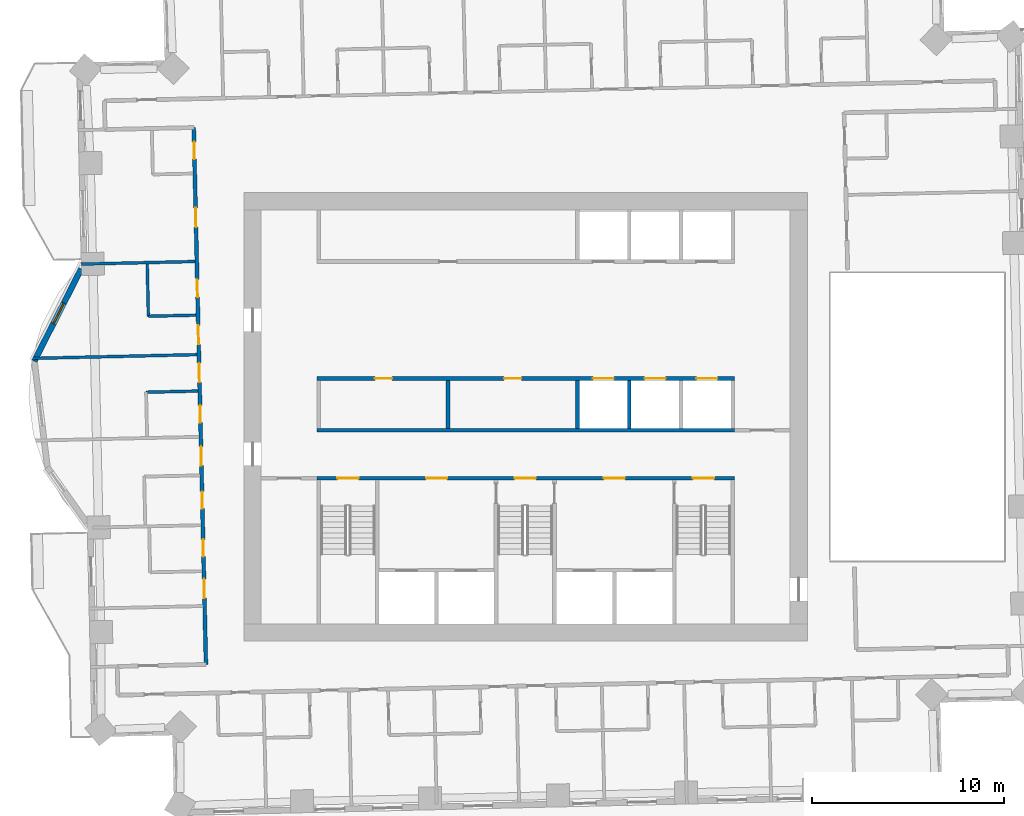
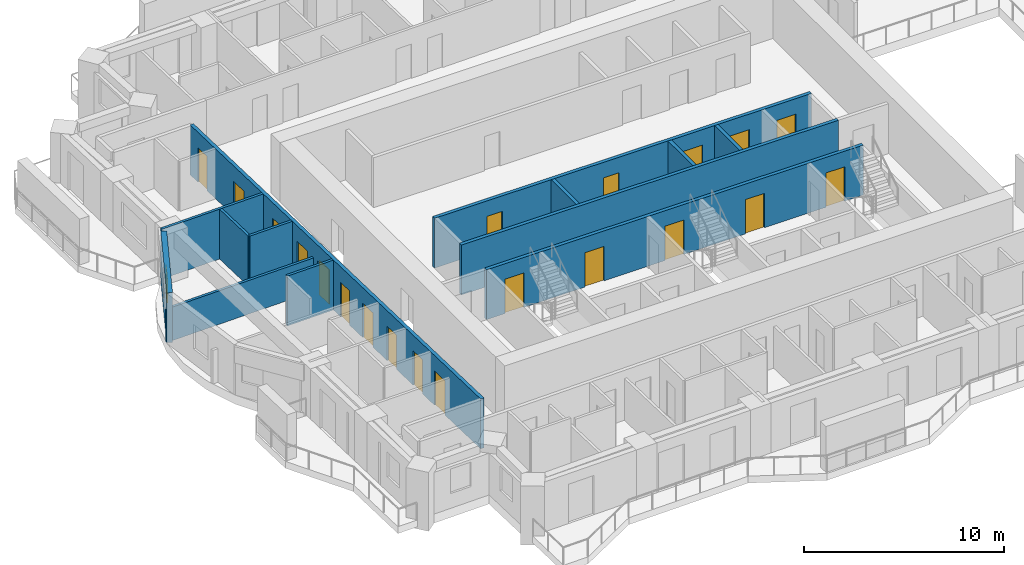
# One storey, part 6 of 14: 20 doors, 13 walls, 1 window, 21 openings.
"""IFC4 building model written with IfcOpenShell, lengths in metres."""

from ifc_helpers import new_model, si_unit, direction, frame, frame_2d, origin, place, context, subcontext, project, spatial, rectangle, extrude, material, layer, layer_set, type_object, element, fill, save


model = new_model("IFC4")

# Units and contexts
model_context = context("Model", 3, precision=1e-05, world=origin(), true_north=direction((0.0, 1.0)))
body_context = subcontext(model_context, "Body", "Model", "MODEL_VIEW")
ifc_project = project(units=[si_unit("LENGTHUNIT", "METRE"), si_unit("AREAUNIT", "SQUARE_METRE"), si_unit("VOLUMEUNIT", "CUBIC_METRE"), si_unit("PLANEANGLEUNIT", "RADIAN"), si_unit("MASSUNIT", "GRAM", prefix="KILO")], contexts=[model_context])

# Site, building, storey
site_placement = place(None, origin())
site = spatial("IfcSite", under=ifc_project, at=site_placement, CompositionType="ELEMENT")
building_placement = place(site_placement, origin())
building = spatial("IfcBuilding", under=site, at=building_placement, Name="Mangrove Gate Tower", CompositionType="ELEMENT")
storey_placement = place(building_placement, frame((0.0, 0.0, 186.10009765625)))
storey = spatial("IfcBuildingStorey", under=building, at=storey_placement, Name="L47", CompositionType="ELEMENT", Elevation=186.10009765625)

# Walls
ifc_material_1 = material(Name="Concrete C32/40", Category="concrete")
ifc_layer_1 = layer(ifc_material_1, 0.199951171875)
ifc_layer_set_1 = layer_set([ifc_layer_1], Name="Core room wall 200 C32/40")
wall_type_1 = type_object("IfcWallType", Name="Core room wall 200 C32/40", PredefinedType="STANDARD", material=ifc_layer_set_1)
wall_1_placement = place(storey_placement, frame((-4.050048828125, -0.60009765625, 0.0), z_axis=(0.0, 0.0, 1.0), x_axis=(0.0, 1.0, 0.0)))
element("IfcWall", 1, at=wall_1_placement, inside=storey, type_object=wall_type_1, Name="WALL-L47-CORE-20", PredefinedType="STANDARD", context=body_context, shape_type="SweptSolid", body=[
    extrude(rectangle(XDim=2.5, YDim=0.199951171875, at=frame_2d((1.25, 0.0))), origin(), (0.0, 0.0, 1.0), 3.0498046875),
])
ifc_material_2 = material(Name="Concrete C60/75", Category="concrete")
ifc_layer_2 = layer(ifc_material_2, 0.199951171875)
ifc_layer_set_2 = layer_set([ifc_layer_2], Name="Core shaft wall 200 C60/75")
wall_type_2 = type_object("IfcWallType", Name="Core shaft wall 200 C60/75", PredefinedType="SHEAR", material=ifc_layer_set_2)
wall_2_placement = place(storey_placement, frame((-10.89990234375, -0.699951171875, 0.0), z_axis=(0.0, 0.0, 1.0), x_axis=(1.0, 0.0, 0.0)))
element("IfcWall", 2, at=wall_2_placement, inside=storey, type_object=wall_type_2, Name="WALL-L47-CORE-6", PredefinedType="SHEAR", context=body_context, shape_type="SweptSolid", body=[
    extrude(rectangle(XDim=21.7998046875, YDim=0.199951171875, at=frame_2d((10.89990234375, 0.0))), origin(), (0.0, 0.0, 1.0), 3.0498046875),
])

# Wall, openings, doors
wall_3_placement = place(storey_placement, frame((-10.89990234375, 2.0, 0.0), z_axis=(0.0, 0.0, 1.0), x_axis=(1.0, 0.0, 0.0)))
wall_3 = element("IfcWall", 3, at=wall_3_placement, inside=storey, type_object=wall_type_2, Name="WALL-L47-CORE-7", PredefinedType="SHEAR", context=body_context, shape_type="SweptSolid", body=[
    extrude(rectangle(XDim=21.7998046875, YDim=0.199951171875, at=frame_2d((10.89990234375, 0.0))), origin(), (0.0, 0.0, 1.0), 3.0498046875),
])
opening_1_placement = place(wall_3_placement, frame((14.39990234375, 0.0, 0.0)))
opening_1 = element("IfcOpeningElement", 4, at=opening_1_placement, cuts=wall_3, Name="Opening LD", PredefinedType="OPENING", context=body_context, shape_type="SweptSolid", body=[
    extrude(rectangle(XDim=1.10009765625, YDim=2.10009765625, at=frame_2d((0.550048828125, 1.050048828125))), frame((0.0, 0.10986328125, 0.0), z_axis=(0.0, -1.0, 0.0), x_axis=(1.0, 0.0, 0.0)), (0.0, 0.0, 1.0), 0.219970703125),
])
opening_2_placement = place(wall_3_placement, frame((17.10009765625, 0.0, 0.0)))
opening_2 = element("IfcOpeningElement", 5, at=opening_2_placement, cuts=wall_3, Name="Opening LD", PredefinedType="OPENING", context=body_context, shape_type="SweptSolid", body=[
    extrude(rectangle(XDim=1.10009765625, YDim=2.10009765625, at=frame_2d((0.550048828125, 1.050048828125))), frame((0.0, 0.10986328125, 0.0), z_axis=(0.0, -1.0, 0.0), x_axis=(1.0, 0.0, 0.0)), (0.0, 0.0, 1.0), 0.219970703125),
])
opening_3_placement = place(wall_3_placement, frame((19.800048828125, 0.0, 0.0)))
opening_3 = element("IfcOpeningElement", 6, at=opening_3_placement, cuts=wall_3, Name="Opening LD", PredefinedType="OPENING", context=body_context, shape_type="SweptSolid", body=[
    extrude(rectangle(XDim=1.10009765625, YDim=2.10009765625, at=frame_2d((0.550048828125, 1.050048828125))), frame((0.0, 0.10986328125, 0.0), z_axis=(0.0, -1.0, 0.0), x_axis=(1.0, 0.0, 0.0)), (0.0, 0.0, 1.0), 0.219970703125),
])
opening_4_placement = place(wall_3_placement, frame((3.02490234375, 0.0, 0.0)))
opening_4 = element("IfcOpeningElement", 7, at=opening_4_placement, cuts=wall_3, Name="Opening KD", PredefinedType="OPENING", context=body_context, shape_type="SweptSolid", body=[
    extrude(rectangle(XDim=0.89990234375, YDim=2.10009765625, at=frame_2d((0.449951171875, 1.050048828125))), frame((0.0, 0.10986328125, 0.0), z_axis=(0.0, -1.0, 0.0), x_axis=(1.0, 0.0, 0.0)), (0.0, 0.0, 1.0), 0.219970703125),
])
opening_5_placement = place(wall_3_placement, frame((9.77490234375, 0.0, 0.0)))
opening_5 = element("IfcOpeningElement", 8, at=opening_5_placement, cuts=wall_3, Name="Opening RD", PredefinedType="OPENING", context=body_context, shape_type="SweptSolid", body=[
    extrude(rectangle(XDim=0.89990234375, YDim=2.10009765625, at=frame_2d((0.449951171875, 1.050048828125))), frame((0.0, 0.10986328125, 0.0), z_axis=(0.0, -1.0, 0.0), x_axis=(1.0, 0.0, 0.0)), (0.0, 0.0, 1.0), 0.219970703125),
])
ifc_material_3 = material(Name="Fire-rated steel door set", Category="steel")
door_type_1 = type_object("IfcDoorType", Name="Core room door FD30S 900x2100", OperationType="SINGLE_SWING_RIGHT", PredefinedType="DOOR", material=ifc_material_3)
door_1_placement = place(opening_4_placement, origin())
door_1 = element("IfcDoor", 9, at=door_1_placement, inside=storey, type_object=door_type_1, Name="Core room door Linen store", OperationType="SINGLE_SWING_RIGHT", OverallHeight=2.10009765625, OverallWidth=0.89990234375, PredefinedType="DOOR", context=body_context, shape_type="SweptSolid", body=[
    extrude(rectangle(XDim=0.89990234375, YDim=2.10009765625, at=frame_2d((0.449951171875, 1.050048828125))), frame((0.0, 0.02490234375, 0.0), z_axis=(0.0, -1.0, 0.0), x_axis=(1.0, 0.0, 0.0)), (0.0, 0.0, 1.0), 0.050048828125),
])
fill(opening_4, door_1)
ifc_material_4 = material(Name="Stainless steel 316", Category="steel")
door_type_2 = type_object("IfcDoorType", Name="Lift landing door 1100x2100", OperationType="SLIDING_TO_LEFT", PredefinedType="DOOR", material=ifc_material_4)
door_2_placement = place(opening_1_placement, origin())
door_2 = element("IfcDoor", 10, at=door_2_placement, inside=storey, type_object=door_type_2, Name="Landing door LD M01", OperationType="SLIDING_TO_LEFT", OverallHeight=2.10009765625, OverallWidth=1.10009765625, PredefinedType="DOOR", context=body_context, shape_type="SweptSolid", body=[
    extrude(rectangle(XDim=1.10009765625, YDim=2.10009765625, at=frame_2d((0.550048828125, 1.050048828125))), frame((0.0, 0.02490234375, 0.0), z_axis=(0.0, -1.0, 0.0), x_axis=(1.0, 0.0, 0.0)), (0.0, 0.0, 1.0), 0.050048828125),
])
fill(opening_1, door_2)
door_3_placement = place(opening_2_placement, origin())
door_3 = element("IfcDoor", 11, at=door_3_placement, inside=storey, type_object=door_type_2, Name="Landing door LD M02", OperationType="SLIDING_TO_LEFT", OverallHeight=2.10009765625, OverallWidth=1.10009765625, PredefinedType="DOOR", context=body_context, shape_type="SweptSolid", body=[
    extrude(rectangle(XDim=1.10009765625, YDim=2.10009765625, at=frame_2d((0.550048828125, 1.050048828125))), frame((0.0, 0.02490234375, 0.0), z_axis=(0.0, -1.0, 0.0), x_axis=(1.0, 0.0, 0.0)), (0.0, 0.0, 1.0), 0.050048828125),
])
fill(opening_2, door_3)
door_4_placement = place(opening_3_placement, origin())
door_4 = element("IfcDoor", 12, at=door_4_placement, inside=storey, type_object=door_type_2, Name="Landing door LD M03", OperationType="SLIDING_TO_LEFT", OverallHeight=2.10009765625, OverallWidth=1.10009765625, PredefinedType="DOOR", context=body_context, shape_type="SweptSolid", body=[
    extrude(rectangle(XDim=1.10009765625, YDim=2.10009765625, at=frame_2d((0.550048828125, 1.050048828125))), frame((0.0, 0.02490234375, 0.0), z_axis=(0.0, -1.0, 0.0), x_axis=(1.0, 0.0, 0.0)), (0.0, 0.0, 1.0), 0.050048828125),
])
fill(opening_3, door_4)
ifc_material_5 = material(Name="Fire-rated steel door set", Category="steel")
door_type_3 = type_object("IfcDoorType", Name="Riser door FD30S 900x2100", OperationType="SINGLE_SWING_LEFT", PredefinedType="DOOR", material=ifc_material_5)
door_5_placement = place(opening_5_placement, origin())
door_5 = element("IfcDoor", 13, at=door_5_placement, inside=storey, type_object=door_type_3, Name="Riser door Switch room", OperationType="SINGLE_SWING_LEFT", OverallHeight=2.10009765625, OverallWidth=0.89990234375, PredefinedType="DOOR", context=body_context, shape_type="SweptSolid", body=[
    extrude(rectangle(XDim=0.89990234375, YDim=2.10009765625, at=frame_2d((0.449951171875, 1.050048828125))), frame((0.0, 0.02490234375, 0.0), z_axis=(0.0, -1.0, 0.0), x_axis=(1.0, 0.0, 0.0)), (0.0, 0.0, 1.0), 0.050048828125),
])
fill(opening_5, door_5)

# Walls
for number, where, z_axis, x_axis, name in (
    (14, (2.699951171875, -0.60009765625, 0.0), (0.0, 0.0, 1.0), (0.0, 1.0, 0.0), "WALL-L47-CORE-21"),
    (15, (5.39990234375, -0.60009765625, 0.0), (0.0, 0.0, 1.0), (0.0, 1.0, 0.0), "WALL-L47-CORE-22"),
):
    element("IfcWall", number, at=place(storey_placement, frame(where, z_axis=z_axis, x_axis=x_axis)), inside=storey, type_object=wall_type_2, Name=name, PredefinedType="SHEAR", context=body_context, shape_type="SweptSolid", body=[
        extrude(rectangle(XDim=2.5, YDim=0.199951171875, at=frame_2d((1.25, 0.0))), origin(), (0.0, 0.0, 1.0), 3.0498046875),
    ])

# Wall, openings, doors
ifc_material_6 = material(Name="Concrete C60/75", Category="concrete")
ifc_layer_3 = layer(ifc_material_6, 0.199951171875)
ifc_layer_set_3 = layer_set([ifc_layer_3], Name="Core stair wall 200 C60/75")
wall_type_3 = type_object("IfcWallType", Name="Core stair wall 200 C60/75", PredefinedType="SHEAR", material=ifc_layer_set_3)
wall_4_placement = place(storey_placement, frame((-10.89990234375, -3.199951171875, 0.0), z_axis=(0.0, 0.0, 1.0), x_axis=(1.0, 0.0, 0.0)))
wall_4 = element("IfcWall", 16, at=wall_4_placement, inside=storey, type_object=wall_type_3, Name="WALL-L47-CORE-5", PredefinedType="SHEAR", context=body_context, shape_type="SweptSolid", body=[
    extrude(rectangle(XDim=21.7998046875, YDim=0.199951171875, at=frame_2d((10.89990234375, 0.0))), origin(), (0.0, 0.0, 1.0), 3.0498046875),
])
opening_6_placement = place(wall_4_placement, frame((1.074951171875, 0.0, 0.0)))
opening_6 = element("IfcOpeningElement", 17, at=opening_6_placement, cuts=wall_4, Name="Opening STD11", PredefinedType="OPENING", context=body_context, shape_type="SweptSolid", body=[
    extrude(rectangle(XDim=1.10009765625, YDim=2.10009765625, at=frame_2d((0.550048828125, 1.050048828125))), frame((0.0, 0.10986328125, 0.0), z_axis=(0.0, -1.0, 0.0), x_axis=(1.0, 0.0, 0.0)), (0.0, 0.0, 1.0), 0.219970703125),
])
opening_7_placement = place(wall_4_placement, frame((10.324951171875, 0.0, 0.0)))
opening_7 = element("IfcOpeningElement", 18, at=opening_7_placement, cuts=wall_4, Name="Opening STD11", PredefinedType="OPENING", context=body_context, shape_type="SweptSolid", body=[
    extrude(rectangle(XDim=1.10009765625, YDim=2.10009765625, at=frame_2d((0.550048828125, 1.050048828125))), frame((0.0, 0.10986328125, 0.0), z_axis=(0.0, -1.0, 0.0), x_axis=(1.0, 0.0, 0.0)), (0.0, 0.0, 1.0), 0.219970703125),
])
opening_8_placement = place(wall_4_placement, frame((19.625, 0.0, 0.0)))
opening_8 = element("IfcOpeningElement", 19, at=opening_8_placement, cuts=wall_4, Name="Opening STD11", PredefinedType="OPENING", context=body_context, shape_type="SweptSolid", body=[
    extrude(rectangle(XDim=1.10009765625, YDim=2.10009765625, at=frame_2d((0.550048828125, 1.050048828125))), frame((0.0, 0.10986328125, 0.0), z_axis=(0.0, -1.0, 0.0), x_axis=(1.0, 0.0, 0.0)), (0.0, 0.0, 1.0), 0.219970703125),
])
opening_9_placement = place(wall_4_placement, frame((5.699951171875, 0.0, 0.0)))
opening_9 = element("IfcOpeningElement", 20, at=opening_9_placement, cuts=wall_4, Name="Opening FL", PredefinedType="OPENING", context=body_context, shape_type="SweptSolid", body=[
    extrude(rectangle(XDim=1.10009765625, YDim=2.10009765625, at=frame_2d((0.550048828125, 1.050048828125))), frame((0.0, 0.10986328125, 0.0), z_axis=(0.0, -1.0, 0.0), x_axis=(1.0, 0.0, 0.0)), (0.0, 0.0, 1.0), 0.219970703125),
])
opening_10_placement = place(wall_4_placement, frame((14.97509765625, 0.0, 0.0)))
opening_10 = element("IfcOpeningElement", 21, at=opening_10_placement, cuts=wall_4, Name="Opening FL", PredefinedType="OPENING", context=body_context, shape_type="SweptSolid", body=[
    extrude(rectangle(XDim=1.10009765625, YDim=2.10009765625, at=frame_2d((0.550048828125, 1.050048828125))), frame((0.0, 0.10986328125, 0.0), z_axis=(0.0, -1.0, 0.0), x_axis=(1.0, 0.0, 0.0)), (0.0, 0.0, 1.0), 0.219970703125),
])
ifc_material_7 = material(Name="Fire-rated steel door set", Category="steel")
door_type_4 = type_object("IfcDoorType", Name="Lobby door FD60 1100x2100", OperationType="SINGLE_SWING_LEFT", PredefinedType="DOOR", material=ifc_material_7)
door_6_placement = place(opening_9_placement, origin())
door_6 = element("IfcDoor", 22, at=door_6_placement, inside=storey, type_object=door_type_4, Name="Lobby door service lobby", OperationType="SINGLE_SWING_LEFT", OverallHeight=2.10009765625, OverallWidth=1.10009765625, PredefinedType="DOOR", context=body_context, shape_type="SweptSolid", body=[
    extrude(rectangle(XDim=1.10009765625, YDim=2.10009765625, at=frame_2d((0.550048828125, 1.050048828125))), frame((0.0, 0.02490234375, 0.0), z_axis=(0.0, -1.0, 0.0), x_axis=(1.0, 0.0, 0.0)), (0.0, 0.0, 1.0), 0.050048828125),
])
fill(opening_9, door_6)
door_7_placement = place(opening_10_placement, origin())
door_7 = element("IfcDoor", 23, at=door_7_placement, inside=storey, type_object=door_type_4, Name="Lobby door fire-fighting lobby", OperationType="SINGLE_SWING_LEFT", OverallHeight=2.10009765625, OverallWidth=1.10009765625, PredefinedType="DOOR", context=body_context, shape_type="SweptSolid", body=[
    extrude(rectangle(XDim=1.10009765625, YDim=2.10009765625, at=frame_2d((0.550048828125, 1.050048828125))), frame((0.0, 0.02490234375, 0.0), z_axis=(0.0, -1.0, 0.0), x_axis=(1.0, 0.0, 0.0)), (0.0, 0.0, 1.0), 0.050048828125),
])
fill(opening_10, door_7)
ifc_material_8 = material(Name="Fire-rated steel door set", Category="steel")
door_type_5 = type_object("IfcDoorType", Name="Stair door FD60 1100x2100", OperationType="SINGLE_SWING_RIGHT", PredefinedType="DOOR", material=ifc_material_8)
door_8_placement = place(opening_6_placement, origin())
door_8 = element("IfcDoor", 24, at=door_8_placement, inside=storey, type_object=door_type_5, Name="Stair door Stair 1", OperationType="SINGLE_SWING_RIGHT", OverallHeight=2.10009765625, OverallWidth=1.10009765625, PredefinedType="DOOR", context=body_context, shape_type="SweptSolid", body=[
    extrude(rectangle(XDim=1.10009765625, YDim=2.10009765625, at=frame_2d((0.550048828125, 1.050048828125))), frame((0.0, 0.02490234375, 0.0), z_axis=(0.0, -1.0, 0.0), x_axis=(1.0, 0.0, 0.0)), (0.0, 0.0, 1.0), 0.050048828125),
])
fill(opening_6, door_8)
door_9_placement = place(opening_7_placement, origin())
door_9 = element("IfcDoor", 25, at=door_9_placement, inside=storey, type_object=door_type_5, Name="Stair door Stair 2", OperationType="SINGLE_SWING_RIGHT", OverallHeight=2.10009765625, OverallWidth=1.10009765625, PredefinedType="DOOR", context=body_context, shape_type="SweptSolid", body=[
    extrude(rectangle(XDim=1.10009765625, YDim=2.10009765625, at=frame_2d((0.550048828125, 1.050048828125))), frame((0.0, 0.02490234375, 0.0), z_axis=(0.0, -1.0, 0.0), x_axis=(1.0, 0.0, 0.0)), (0.0, 0.0, 1.0), 0.050048828125),
])
fill(opening_7, door_9)
door_10_placement = place(opening_8_placement, origin())
door_10 = element("IfcDoor", 26, at=door_10_placement, inside=storey, type_object=door_type_5, Name="Stair door Stair 3", OperationType="SINGLE_SWING_RIGHT", OverallHeight=2.10009765625, OverallWidth=1.10009765625, PredefinedType="DOOR", context=body_context, shape_type="SweptSolid", body=[
    extrude(rectangle(XDim=1.10009765625, YDim=2.10009765625, at=frame_2d((0.550048828125, 1.050048828125))), frame((0.0, 0.02490234375, 0.0), z_axis=(0.0, -1.0, 0.0), x_axis=(1.0, 0.0, 0.0)), (0.0, 0.0, 1.0), 0.050048828125),
])
fill(opening_8, door_10)

ifc_material_9 = material(Name="Gypsum board on steel stud, EI 60", Category="steel")
ifc_layer_4 = layer(ifc_material_9, 0.199951171875)
ifc_layer_set_4 = layer_set([ifc_layer_4], Name="Corridor wall EI 60")
wall_type_4 = type_object("IfcWallType", Name="Corridor wall EI 60", PredefinedType="PARTITIONING", material=ifc_layer_set_4)
wall_5_placement = place(storey_placement, frame((-16.68408203125, -12.9189453125, 0.0), z_axis=(0.0, 0.0, 1.0), x_axis=(-0.022694293906, 0.999742451346, 0.0)))
wall_5 = element("IfcWall", 27, at=wall_5_placement, inside=storey, type_object=wall_type_4, Name="WALL-L47-029", PredefinedType="PARTITIONING", context=body_context, shape_type="SweptSolid", body=[
    extrude(rectangle(XDim=28.024169921875, YDim=0.199951171875, at=frame_2d((14.01220703125, 0.0))), origin(), (0.0, 0.0, 1.0), 3.0498046875),
])
opening_11_placement = place(wall_5_placement, frame((22.824951171875, 0.0, 0.0)))
opening_11 = element("IfcOpeningElement", 28, at=opening_11_placement, cuts=wall_5, Name="Opening AD", PredefinedType="OPENING", context=body_context, shape_type="SweptSolid", body=[
    extrude(rectangle(XDim=1.0, YDim=2.10009765625, at=frame_2d((0.5, 1.050048828125))), frame((0.0, 0.10986328125, 0.0), z_axis=(0.0, -1.0, 0.0), x_axis=(1.0, 0.0, 0.0)), (0.0, 0.0, 1.0), 0.219970703125),
])
opening_12_placement = place(wall_5_placement, frame((26.3740234375, 0.0, 0.0)))
opening_12 = element("IfcOpeningElement", 29, at=opening_12_placement, cuts=wall_5, Name="Opening SD", PredefinedType="OPENING", context=body_context, shape_type="SweptSolid", body=[
    extrude(rectangle(XDim=0.89990234375, YDim=2.10009765625, at=frame_2d((0.449951171875, 1.050048828125))), frame((0.0, 0.10986328125, 0.0), z_axis=(0.0, -1.0, 0.0), x_axis=(1.0, 0.0, 0.0)), (0.0, 0.0, 1.0), 0.219970703125),
])
opening_13_placement = place(wall_5_placement, frame((16.699951171875, 0.0, 0.0)))
opening_13 = element("IfcOpeningElement", 30, at=opening_13_placement, cuts=wall_5, Name="Opening AD", PredefinedType="OPENING", context=body_context, shape_type="SweptSolid", body=[
    extrude(rectangle(XDim=1.0, YDim=2.10009765625, at=frame_2d((0.5, 1.050048828125))), frame((0.0, 0.10986328125, 0.0), z_axis=(0.0, -1.0, 0.0), x_axis=(1.0, 0.0, 0.0)), (0.0, 0.0, 1.0), 0.219970703125),
])
opening_14_placement = place(wall_5_placement, frame((19.175048828125, 0.0, 0.0)))
opening_14 = element("IfcOpeningElement", 31, at=opening_14_placement, cuts=wall_5, Name="Opening SD", PredefinedType="OPENING", context=body_context, shape_type="SweptSolid", body=[
    extrude(rectangle(XDim=0.89990234375, YDim=2.10009765625, at=frame_2d((0.449951171875, 1.050048828125))), frame((0.0, 0.10986328125, 0.0), z_axis=(0.0, -1.0, 0.0), x_axis=(1.0, 0.0, 0.0)), (0.0, 0.0, 1.0), 0.219970703125),
])
opening_15_placement = place(wall_5_placement, frame((14.72509765625, 0.0, 0.0)))
opening_15 = element("IfcOpeningElement", 32, at=opening_15_placement, cuts=wall_5, Name="Opening AD", PredefinedType="OPENING", context=body_context, shape_type="SweptSolid", body=[
    extrude(rectangle(XDim=1.0, YDim=2.10009765625, at=frame_2d((0.5, 1.050048828125))), frame((0.0, 0.10986328125, 0.0), z_axis=(0.0, -1.0, 0.0), x_axis=(1.0, 0.0, 0.0)), (0.0, 0.0, 1.0), 0.219970703125),
])
opening_16_placement = place(wall_5_placement, frame((12.625, 0.0, 0.0)))
opening_16 = element("IfcOpeningElement", 33, at=opening_16_placement, cuts=wall_5, Name="Opening SD", PredefinedType="OPENING", context=body_context, shape_type="SweptSolid", body=[
    extrude(rectangle(XDim=0.89990234375, YDim=2.10009765625, at=frame_2d((0.449951171875, 1.050048828125))), frame((0.0, 0.10986328125, 0.0), z_axis=(0.0, -1.0, 0.0), x_axis=(1.0, 0.0, 0.0)), (0.0, 0.0, 1.0), 0.219970703125),
])
opening_17_placement = place(wall_5_placement, frame((10.375, 0.0, 0.0)))
opening_17 = element("IfcOpeningElement", 34, at=opening_17_placement, cuts=wall_5, Name="Opening AD", PredefinedType="OPENING", context=body_context, shape_type="SweptSolid", body=[
    extrude(rectangle(XDim=1.0, YDim=2.10009765625, at=frame_2d((0.5, 1.050048828125))), frame((0.0, 0.10986328125, 0.0), z_axis=(0.0, -1.0, 0.0), x_axis=(1.0, 0.0, 0.0)), (0.0, 0.0, 1.0), 0.219970703125),
])
opening_18_placement = place(wall_5_placement, frame((8.125, 0.0, 0.0)))
opening_18 = element("IfcOpeningElement", 35, at=opening_18_placement, cuts=wall_5, Name="Opening SD", PredefinedType="OPENING", context=body_context, shape_type="SweptSolid", body=[
    extrude(rectangle(XDim=0.89990234375, YDim=2.10009765625, at=frame_2d((0.449951171875, 1.050048828125))), frame((0.0, 0.10986328125, 0.0), z_axis=(0.0, -1.0, 0.0), x_axis=(1.0, 0.0, 0.0)), (0.0, 0.0, 1.0), 0.219970703125),
])
opening_19_placement = place(wall_5_placement, frame((3.4619140625, 0.0, 0.0)))
opening_19 = element("IfcOpeningElement", 36, at=opening_19_placement, cuts=wall_5, Name="Opening AD", PredefinedType="OPENING", context=body_context, shape_type="SweptSolid", body=[
    extrude(rectangle(XDim=1.0, YDim=2.10009765625, at=frame_2d((0.5, 1.050048828125))), frame((0.0, 0.10986328125, 0.0), z_axis=(0.0, -1.0, 0.0), x_axis=(1.0, 0.0, 0.0)), (0.0, 0.0, 1.0), 0.219970703125),
])
opening_20_placement = place(wall_5_placement, frame((5.625, 0.0, 0.0)))
opening_20 = element("IfcOpeningElement", 37, at=opening_20_placement, cuts=wall_5, Name="Opening SD", PredefinedType="OPENING", context=body_context, shape_type="SweptSolid", body=[
    extrude(rectangle(XDim=0.89990234375, YDim=2.10009765625, at=frame_2d((0.449951171875, 1.050048828125))), frame((0.0, 0.10986328125, 0.0), z_axis=(0.0, -1.0, 0.0), x_axis=(1.0, 0.0, 0.0)), (0.0, 0.0, 1.0), 0.219970703125),
])
ifc_material_10 = material(Name="Timber door leaf", Category="wood")
door_type_6 = type_object("IfcDoorType", Name="Amenity door 1000", OperationType="SINGLE_SWING_LEFT", PredefinedType="DOOR", material=ifc_material_10)
door_11_placement = place(opening_11_placement, origin())
door_11 = element("IfcDoor", 38, at=door_11_placement, inside=storey, type_object=door_type_6, Name="DOOR-L47-LNG-c5a", OperationType="SINGLE_SWING_RIGHT", OverallHeight=2.10009765625, OverallWidth=1.0, PredefinedType="DOOR", context=body_context, shape_type="SweptSolid", body=[
    extrude(rectangle(XDim=1.0, YDim=2.10009765625, at=frame_2d((0.5, 1.050048828125))), frame((0.0, 0.02490234375, 0.0), z_axis=(0.0, -1.0, 0.0), x_axis=(1.0, 0.0, 0.0)), (0.0, 0.0, 1.0), 0.050048828125),
])
fill(opening_11, door_11)
door_12_placement = place(opening_13_placement, origin())
door_12 = element("IfcDoor", 39, at=door_12_placement, inside=storey, type_object=door_type_6, Name="DOOR-L47-GAM-c5a", OperationType="SINGLE_SWING_LEFT", OverallHeight=2.10009765625, OverallWidth=1.0, PredefinedType="DOOR", context=body_context, shape_type="SweptSolid", body=[
    extrude(rectangle(XDim=1.0, YDim=2.10009765625, at=frame_2d((0.5, 1.050048828125))), frame((0.0, 0.02490234375, 0.0), z_axis=(0.0, -1.0, 0.0), x_axis=(1.0, 0.0, 0.0)), (0.0, 0.0, 1.0), 0.050048828125),
])
fill(opening_13, door_12)
door_13_placement = place(opening_15_placement, origin())
door_13 = element("IfcDoor", 40, at=door_13_placement, inside=storey, type_object=door_type_6, Name="DOOR-L47-STU-c5b", OperationType="SINGLE_SWING_RIGHT", OverallHeight=2.10009765625, OverallWidth=1.0, PredefinedType="DOOR", context=body_context, shape_type="SweptSolid", body=[
    extrude(rectangle(XDim=1.0, YDim=2.10009765625, at=frame_2d((0.5, 1.050048828125))), frame((0.0, 0.02490234375, 0.0), z_axis=(0.0, -1.0, 0.0), x_axis=(1.0, 0.0, 0.0)), (0.0, 0.0, 1.0), 0.050048828125),
])
fill(opening_15, door_13)
door_14_placement = place(opening_17_placement, origin())
door_14 = element("IfcDoor", 41, at=door_14_placement, inside=storey, type_object=door_type_6, Name="DOOR-L47-LNG-c5b", OperationType="SINGLE_SWING_LEFT", OverallHeight=2.10009765625, OverallWidth=1.0, PredefinedType="DOOR", context=body_context, shape_type="SweptSolid", body=[
    extrude(rectangle(XDim=1.0, YDim=2.10009765625, at=frame_2d((0.5, 1.050048828125))), frame((0.0, 0.02490234375, 0.0), z_axis=(0.0, -1.0, 0.0), x_axis=(1.0, 0.0, 0.0)), (0.0, 0.0, 1.0), 0.050048828125),
])
fill(opening_17, door_14)
door_15_placement = place(opening_19_placement, origin())
door_15 = element("IfcDoor", 42, at=door_15_placement, inside=storey, type_object=door_type_6, Name="DOOR-L47-KIT-c5a", OperationType="SINGLE_SWING_RIGHT", OverallHeight=2.10009765625, OverallWidth=1.0, PredefinedType="DOOR", context=body_context, shape_type="SweptSolid", body=[
    extrude(rectangle(XDim=1.0, YDim=2.10009765625, at=frame_2d((0.5, 1.050048828125))), frame((0.0, 0.02490234375, 0.0), z_axis=(0.0, -1.0, 0.0), x_axis=(1.0, 0.0, 0.0)), (0.0, 0.0, 1.0), 0.050048828125),
])
fill(opening_19, door_15)
ifc_material_11 = material(Name="Timber door leaf", Category="wood")
door_type_7 = type_object("IfcDoorType", Name="Service room door 900", OperationType="SINGLE_SWING_LEFT", PredefinedType="DOOR", material=ifc_material_11)
door_16_placement = place(opening_12_placement, origin())
door_16 = element("IfcDoor", 43, at=door_16_placement, inside=storey, type_object=door_type_7, Name="DOOR-L47-LIN-c5a", OperationType="SINGLE_SWING_RIGHT", OverallHeight=2.10009765625, OverallWidth=0.89990234375, PredefinedType="DOOR", context=body_context, shape_type="SweptSolid", body=[
    extrude(rectangle(XDim=0.89990234375, YDim=2.10009765625, at=frame_2d((0.449951171875, 1.050048828125))), frame((0.0, 0.02490234375, 0.0), z_axis=(0.0, -1.0, 0.0), x_axis=(1.0, 0.0, 0.0)), (0.0, 0.0, 1.0), 0.050048828125),
])
fill(opening_12, door_16)
door_17_placement = place(opening_14_placement, origin())
door_17 = element("IfcDoor", 44, at=door_17_placement, inside=storey, type_object=door_type_7, Name="DOOR-L47-LDY-c5a", OperationType="SINGLE_SWING_LEFT", OverallHeight=2.10009765625, OverallWidth=0.89990234375, PredefinedType="DOOR", context=body_context, shape_type="SweptSolid", body=[
    extrude(rectangle(XDim=0.89990234375, YDim=2.10009765625, at=frame_2d((0.449951171875, 1.050048828125))), frame((0.0, 0.02490234375, 0.0), z_axis=(0.0, -1.0, 0.0), x_axis=(1.0, 0.0, 0.0)), (0.0, 0.0, 1.0), 0.050048828125),
])
fill(opening_14, door_17)
door_18_placement = place(opening_16_placement, origin())
door_18 = element("IfcDoor", 45, at=door_18_placement, inside=storey, type_object=door_type_7, Name="DOOR-L47-WC-c5a", OperationType="SINGLE_SWING_RIGHT", OverallHeight=2.10009765625, OverallWidth=0.89990234375, PredefinedType="DOOR", context=body_context, shape_type="SweptSolid", body=[
    extrude(rectangle(XDim=0.89990234375, YDim=2.10009765625, at=frame_2d((0.449951171875, 1.050048828125))), frame((0.0, 0.02490234375, 0.0), z_axis=(0.0, -1.0, 0.0), x_axis=(1.0, 0.0, 0.0)), (0.0, 0.0, 1.0), 0.050048828125),
])
fill(opening_16, door_18)
door_19_placement = place(opening_18_placement, origin())
door_19 = element("IfcDoor", 46, at=door_19_placement, inside=storey, type_object=door_type_7, Name="DOOR-L47-AWC-c5a", OperationType="SINGLE_SWING_LEFT", OverallHeight=2.10009765625, OverallWidth=0.89990234375, PredefinedType="DOOR", context=body_context, shape_type="SweptSolid", body=[
    extrude(rectangle(XDim=0.89990234375, YDim=2.10009765625, at=frame_2d((0.449951171875, 1.050048828125))), frame((0.0, 0.02490234375, 0.0), z_axis=(0.0, -1.0, 0.0), x_axis=(1.0, 0.0, 0.0)), (0.0, 0.0, 1.0), 0.050048828125),
])
fill(opening_18, door_19)
door_20_placement = place(opening_20_placement, origin())
door_20 = element("IfcDoor", 47, at=door_20_placement, inside=storey, type_object=door_type_7, Name="DOOR-L47-WC-c5b", OperationType="SINGLE_SWING_RIGHT", OverallHeight=2.10009765625, OverallWidth=0.89990234375, PredefinedType="DOOR", context=body_context, shape_type="SweptSolid", body=[
    extrude(rectangle(XDim=0.89990234375, YDim=2.10009765625, at=frame_2d((0.449951171875, 1.050048828125))), frame((0.0, 0.02490234375, 0.0), z_axis=(0.0, -1.0, 0.0), x_axis=(1.0, 0.0, 0.0)), (0.0, 0.0, 1.0), 0.050048828125),
])
fill(opening_20, door_20)

# Wall, opening, window
ifc_material_12 = material(Name="Limestone", Category="masonry")
ifc_layer_5 = layer(ifc_material_12, 0.0400390625, Name="Limestone cladding")
ifc_material_13 = material(Name="Ventilated air gap")
ifc_layer_6 = layer(ifc_material_13, 0.0400390625, Name="Ventilated cavity")
ifc_material_14 = material(Name="Mineral wool insulation")
ifc_layer_7 = layer(ifc_material_14, 0.06005859375, Name="Insulation")
ifc_material_15 = material(Name="Breather membrane")
ifc_layer_8 = layer(ifc_material_15, 0.001953125, Name="Breather membrane")
ifc_material_16 = material(Name="Concrete C20/25 blockwork", Category="masonry")
ifc_layer_9 = layer(ifc_material_16, 0.14990234375, Name="Blockwork backing wall")
ifc_material_17 = material(Name="Gypsum plaster")
ifc_layer_10 = layer(ifc_material_17, 0.008056640625, Name="Internal plaster")
ifc_layer_set_5 = layer_set([ifc_layer_5, ifc_layer_6, ifc_layer_7, ifc_layer_8, ifc_layer_9, ifc_layer_10], Name="External wall 300 limestone cladding")
wall_type_5 = type_object("IfcWallType", Name="External wall 300 limestone cladding", PredefinedType="SOLIDWALL", material=ifc_layer_set_5)
wall_6_placement = place(storey_placement, frame((-23.194091796875, 7.718994140625, 0.0), z_axis=(0.0, 0.0, 1.0), x_axis=(-0.452597193435, -0.891715078091, 0.0)))
wall_6 = element("IfcWall", 48, at=wall_6_placement, inside=storey, type_object=wall_type_5, Name="WALL-L47-W9f1", PredefinedType="SOLIDWALL", context=body_context, shape_type="SweptSolid", body=[
    extrude(rectangle(XDim=5.3974609375, YDim=0.300048828125, at=frame_2d((2.69873046875, 0.0))), origin(), (0.0, 0.0, 1.0), 3.0498046875),
])
opening_21_placement = place(wall_6_placement, frame((2.007080078125, 0.0, 0.89990234375)))
opening_21 = element("IfcOpeningElement", 49, at=opening_21_placement, cuts=wall_6, Name="Opening W1", PredefinedType="OPENING", context=body_context, shape_type="SweptSolid", body=[
    extrude(rectangle(XDim=1.199951171875, YDim=1.5, at=frame_2d((0.60009765625, 0.75))), frame((0.0, 0.159912109375, 0.0), z_axis=(0.0, -1.0, 0.0), x_axis=(1.0, 0.0, 0.0)), (0.0, 0.0, 1.0), 0.320068359375),
])
ifc_material_18 = material(Name="Aluminium frame with double-glazed low-e glass", Category="aluminium")
window_type = type_object("IfcWindowType", Name="Side lite 1200x1500", PartitioningType="SINGLE_PANEL", PredefinedType="WINDOW", material=ifc_material_18)
window_placement = place(opening_21_placement, origin())
window = element("IfcWindow", 50, at=window_placement, inside=storey, type_object=window_type, Name="WIN-L47-W9f1", OverallHeight=1.5, OverallWidth=1.199951171875, PartitioningType="SINGLE_PANEL", PredefinedType="WINDOW", context=body_context, shape_type="SweptSolid", body=[
    extrude(rectangle(XDim=1.199951171875, YDim=1.5, at=frame_2d((0.60009765625, 0.75))), frame((0.0, 0.030029296875, 0.0), z_axis=(0.0, -1.0, 0.0), x_axis=(1.0, 0.0, 0.0)), (0.0, 0.0, 1.0), 0.06005859375),
])
fill(opening_21, window)

# Walls
ifc_material_19 = material(Name="Gypsum board on steel stud, EI 60", Category="steel")
ifc_layer_11 = layer(ifc_material_19, 0.14990234375)
ifc_layer_set_6 = layer_set([ifc_layer_11], Name="Party wall 150 EI 60")
wall_type_6 = type_object("IfcWallType", Name="Party wall 150 EI 60", PredefinedType="PARTITIONING", material=ifc_layer_set_6)
wall_7_placement = place(storey_placement, frame((-19.802001953125, 1.283935546875, 0.0), z_axis=(0.0, 0.0, 1.0), x_axis=(0.999736155505, 0.022969966847, 0.0)))
element("IfcWall", 51, at=wall_7_placement, inside=storey, type_object=wall_type_6, Name="WALL-L47-041", PredefinedType="PARTITIONING", context=body_context, shape_type="SweptSolid", body=[
    extrude(rectangle(XDim=2.69970703125, YDim=0.14990234375, at=frame_2d((1.349853515625, 0.0))), origin(), (0.0, 0.0, 1.0), 3.0498046875),
])
wall_8_placement = place(storey_placement, frame((-25.75, 3.050048828125, 0.0), z_axis=(0.0, 0.0, 1.0), x_axis=(0.999743093505, 0.022665987507, 0.0)))
element("IfcWall", 52, at=wall_8_placement, inside=storey, type_object=wall_type_6, Name="WALL-L47-042", PredefinedType="PARTITIONING", context=body_context, shape_type="SweptSolid", body=[
    extrude(rectangle(XDim=8.606201171875, YDim=0.14990234375, at=frame_2d((4.30322265625, 0.0))), origin(), (0.0, 0.0, 1.0), 2.0498046875),
])
wall_9_placement = place(storey_placement, frame((-19.68701171875, 5.242919921875, 0.0), z_axis=(0.0, 0.0, 1.0), x_axis=(-0.022758040381, 0.999741002259, 0.0)))
element("IfcWall", 53, at=wall_9_placement, inside=storey, type_object=wall_type_6, Name="WALL-L47-043", PredefinedType="PARTITIONING", context=body_context, shape_type="SweptSolid", body=[
    extrude(rectangle(XDim=2.724853515625, YDim=0.14990234375, at=frame_2d((1.3623046875, 0.0))), origin(), (0.0, 0.0, 1.0), 3.0498046875),
])
wall_10_placement = place(storey_placement, frame((-19.69189453125, 5.248046875, 0.0), z_axis=(0.0, 0.0, 1.0), x_axis=(0.999740977561, 0.022759125332, 0.0)))
element("IfcWall", 54, at=wall_10_placement, inside=storey, type_object=wall_type_6, Name="WALL-L47-044", PredefinedType="PARTITIONING", context=body_context, shape_type="SweptSolid", body=[
    extrude(rectangle(XDim=2.49951171875, YDim=0.14990234375, at=frame_2d((1.249755859375, 0.0))), origin(), (0.0, 0.0, 1.0), 3.0498046875),
])
wall_11_placement = place(storey_placement, frame((-23.18994140625, 7.968994140625, 0.0), z_axis=(0.0, 0.0, 1.0), x_axis=(0.999741261868, 0.022746633113, 0.0)))
element("IfcWall", 55, at=wall_11_placement, inside=storey, type_object=wall_type_6, Name="WALL-L47-046", PredefinedType="PARTITIONING", context=body_context, shape_type="SweptSolid", body=[
    extrude(rectangle(XDim=5.935302734375, YDim=0.14990234375, at=frame_2d((2.9677734375, 0.0))), origin(), (0.0, 0.0, 1.0), 3.0498046875),
])

save(model, "model.ifc")
